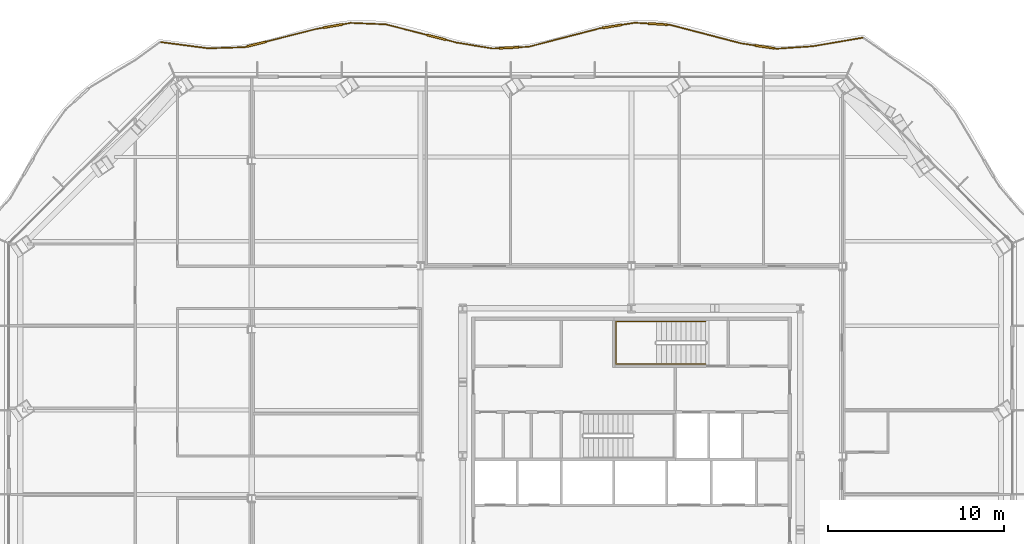
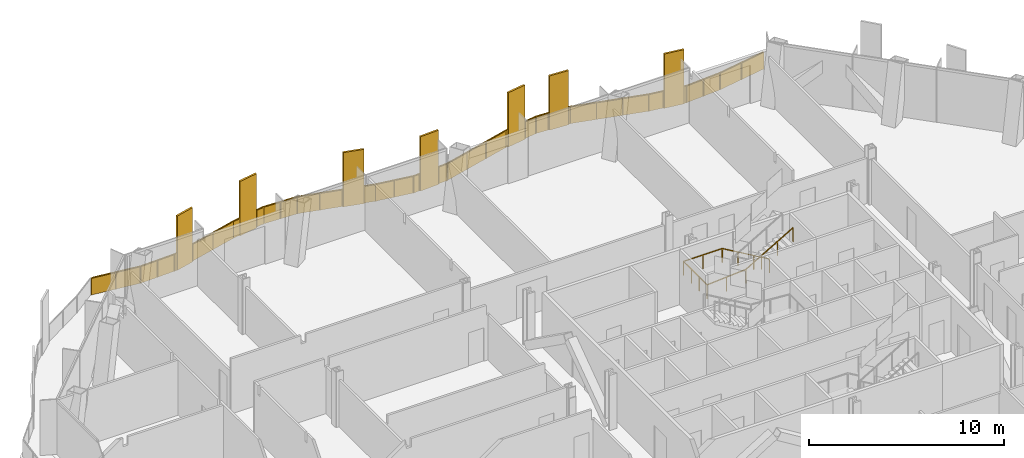
# One storey, part 18 of 19: 2 railings.
"""IFC4 building model written with IfcOpenShell, lengths in metres."""

from ifc_helpers import new_model, si_unit, direction, frame, origin, origin_2d, place, context, subcontext, project, spatial, polyline, rectangle, outline, extrude, material, type_object, element, save


model = new_model("IFC4")

# Units and contexts
model_context = context("Model", 3, precision=1e-05, world=origin(), true_north=direction((0.0, 1.0)))
body_context = subcontext(model_context, "Body", "Model", "MODEL_VIEW")
ifc_project = project(units=[si_unit("LENGTHUNIT", "METRE"), si_unit("AREAUNIT", "SQUARE_METRE"), si_unit("VOLUMEUNIT", "CUBIC_METRE"), si_unit("PLANEANGLEUNIT", "RADIAN"), si_unit("MASSUNIT", "GRAM", prefix="KILO")], contexts=[model_context])

# Site, building, storey
site_placement = place(None, origin())
site = spatial("IfcSite", under=ifc_project, at=site_placement, CompositionType="ELEMENT")
building_placement = place(site_placement, origin())
building = spatial("IfcBuilding", under=site, at=building_placement, Name="Cairn Pilgrim Tower", CompositionType="ELEMENT")
storey_placement = place(building_placement, frame((0.0, 0.0, 90.60009765625)))
storey = spatial("IfcBuildingStorey", under=building, at=storey_placement, Name="L21", CompositionType="ELEMENT", Elevation=90.60009765625)

# Railings
ifc_material_1 = material(Name="Bronze anodised aluminium rail, posts and fin screens with laminated glass infill", Category="aluminium")
railing_type_1 = type_object("IfcRailingType", Name="BALCONY GUARD WITH FIN SCREENS", PredefinedType="GUARDRAIL", material=ifc_material_1)
railing_1_placement = place(storey_placement, frame((20.3740234375, 26.201904296875, 0.0)))
element("IfcRailing", 1, at=railing_1_placement, inside=storey, type_object=railing_type_1, Name="Balcony guard BGF-4 with fin screens", PredefinedType="GUARDRAIL", context=body_context, shape_type="SweptSolid", body=[
    extrude(rectangle(XDim=0.050048828125, YDim=0.050048828125, at=origin_2d()), frame((0.0, 0.0, 1.0751953125), z_axis=(-0.98563467699, -0.168891336413, 0.0), x_axis=(0.168891336413, -0.98563467699, 0.0)), (0.0, 0.0, 1.0), 2.8984375),
    extrude(rectangle(XDim=0.050048828125, YDim=0.050048828125, at=origin_2d()), frame((-2.856689453125, -0.489501953125, 1.0751953125), z_axis=(-0.99764384086, -0.068605880174, 0.0), x_axis=(0.068605880174, -0.99764384086, 0.0)), (0.0, 0.0, 1.0), 2.0498046875),
    extrude(rectangle(XDim=1.10009765625, YDim=0.110107421875, at=origin_2d()), frame((-5.593994140625, -0.52587890625, 0.0), z_axis=(0.0, 0.0, 1.0), x_axis=(-0.988876527794, 0.148738740005, 0.0)), (0.0, 0.0, 1.0), 3.39990234375),
    extrude(rectangle(XDim=0.050048828125, YDim=0.050048828125, at=origin_2d()), frame((-4.901611328125, -0.630126953125, 1.0751953125), z_axis=(-0.988876527794, 0.148738740005, 0.0), x_axis=(-0.148738740005, -0.988876527794, 0.0)), (0.0, 0.0, 1.0), 0.150146484375),
    extrude(rectangle(XDim=0.050048828125, YDim=0.050048828125, at=origin_2d()), frame((-6.137939453125, -0.444091796875, 1.0751953125), z_axis=(-0.988876527794, 0.148738740005, 0.0), x_axis=(-0.148738740005, -0.988876527794, 0.0)), (0.0, 0.0, 1.0), 0.818115234375),
    extrude(rectangle(XDim=0.050048828125, YDim=0.050048828125, at=origin_2d()), frame((-6.94677734375, -0.322509765625, 1.0751953125), z_axis=(-0.967662638043, 0.252247931478, 0.0), x_axis=(-0.252247931478, -0.967662638043, 0.0)), (0.0, 0.0, 1.0), 4.17041015625),
    extrude(rectangle(XDim=1.10009765625, YDim=0.110107421875, at=origin_2d()), frame((-11.68115234375, 0.77099609375, 0.0), z_axis=(0.0, 0.0, 1.0), x_axis=(-0.998234448641, 0.059396847944, 0.0)), (0.0, 0.0, 1.0), 3.39990234375),
    extrude(rectangle(XDim=0.050048828125, YDim=0.050048828125, at=origin_2d()), frame((-10.982421875, 0.7294921875, 1.0751953125), z_axis=(-0.998234448641, 0.059396847944, 0.0), x_axis=(-0.059396847944, -0.998234448641, 0.0)), (0.0, 0.0, 1.0), 0.14990234375),
    extrude(rectangle(XDim=0.050048828125, YDim=0.050048828125, at=origin_2d()), frame((-12.230224609375, 0.8037109375, 1.0751953125), z_axis=(-0.998234448641, 0.059396847944, 0.0), x_axis=(-0.059396847944, -0.998234448641, 0.0)), (0.0, 0.0, 1.0), 0.74365234375),
    extrude(rectangle(XDim=1.10009765625, YDim=0.110107421875, at=origin_2d()), frame((-14.279052734375, 0.640869140625, 0.0), z_axis=(0.0, 0.0, 1.0), x_axis=(-0.987670802146, -0.156545158302, 0.0)), (0.0, 0.0, 1.0), 3.39990234375),
    extrude(rectangle(XDim=0.050048828125, YDim=0.050048828125, at=origin_2d()), frame((-12.972412109375, 0.847900390625, 1.0751953125), z_axis=(-0.987670802146, -0.156545158302, 0.0), x_axis=(0.156545158302, -0.987670802146, 0.0)), (0.0, 0.0, 1.0), 0.77294921875),
    extrude(rectangle(XDim=0.050048828125, YDim=0.050048828125, at=origin_2d()), frame((-14.822265625, 0.5546875, 1.0751953125), z_axis=(-0.987670802146, -0.156545158302, 0.0), x_axis=(0.156545158302, -0.987670802146, 0.0)), (0.0, 0.0, 1.0), 0.14990234375),
    extrude(rectangle(XDim=0.050048828125, YDim=0.050048828125, at=origin_2d()), frame((-14.97021484375, 0.53125, 1.0751953125), z_axis=(-0.968051479953, -0.250751534713, 0.0), x_axis=(0.250751534713, -0.968051479953, 0.0)), (0.0, 0.0, 1.0), 4.18359375),
    extrude(rectangle(XDim=1.10009765625, YDim=0.110107421875, at=origin_2d()), frame((-20.136962890625, -0.57373046875, 0.0), z_axis=(0.0, 0.0, 1.0), x_axis=(-0.998748484548, -0.050014643987, 0.0)), (0.0, 0.0, 1.0), 3.39990234375),
    extrude(rectangle(XDim=0.050048828125, YDim=0.050048828125, at=origin_2d()), frame((-19.020263671875, -0.517822265625, 1.0751953125), z_axis=(-0.998748484548, -0.050014643987, 0.0), x_axis=(0.050014643987, -0.998748484548, 0.0)), (0.0, 0.0, 1.0), 0.568115234375),
    extrude(rectangle(XDim=0.050048828125, YDim=0.050048828125, at=origin_2d()), frame((-20.686279296875, -0.601318359375, 1.0751953125), z_axis=(-0.998748484548, -0.050014643987, 0.0), x_axis=(0.050014643987, -0.998748484548, 0.0)), (0.0, 0.0, 1.0), 0.386962890625),
    extrude(rectangle(XDim=0.050048828125, YDim=0.050048828125, at=origin_2d()), frame((-21.07275390625, -0.62060546875, 1.0751953125), z_axis=(-0.986470265523, 0.163940279491, 0.0), x_axis=(-0.163940279491, -0.986470265523, 0.0)), (0.0, 0.0, 1.0), 2.071533203125),
    extrude(rectangle(XDim=1.10009765625, YDim=0.110107421875, at=origin_2d()), frame((-24.273681640625, 0.0166015625, 0.0), z_axis=(0.0, 0.0, 1.0), x_axis=(-0.96848929625, 0.24905518073, 0.0)), (0.0, 0.0, 1.0), 3.39990234375),
    extrude(rectangle(XDim=0.050048828125, YDim=0.050048828125, at=origin_2d()), frame((-23.1162109375, -0.281005859375, 1.0751953125), z_axis=(-0.96848929625, 0.24905518073, 0.0), x_axis=(-0.24905518073, -0.96848929625, 0.0)), (0.0, 0.0, 1.0), 0.64501953125),
    extrude(rectangle(XDim=0.050048828125, YDim=0.050048828125, at=origin_2d()), frame((-24.806396484375, 0.153564453125, 1.0751953125), z_axis=(-0.96848929625, 0.24905518073, 0.0), x_axis=(-0.24905518073, -0.96848929625, 0.0)), (0.0, 0.0, 1.0), 2.4189453125),
    extrude(rectangle(XDim=0.050048828125, YDim=0.050048828125, at=origin_2d()), frame((-27.149169921875, 0.756103515625, 1.0751953125), z_axis=(-0.999170906017, 0.04071241296, 0.0), x_axis=(-0.04071241296, -0.999170906017, 0.0)), (0.0, 0.0, 1.0), 1.990966796875),
    extrude(rectangle(XDim=1.10009765625, YDim=0.110107421875, at=origin_2d()), frame((-30.157470703125, 0.659912109375, 0.0), z_axis=(0.0, 0.0, 1.0), x_axis=(-0.985218817195, -0.171300561134, 0.0)), (0.0, 0.0, 1.0), 3.39990234375),
    extrude(rectangle(XDim=0.050048828125, YDim=0.050048828125, at=origin_2d()), frame((-29.138427734375, 0.837158203125, 1.0751953125), z_axis=(-0.985218817195, -0.171300561134, 0.0), x_axis=(0.171300561134, -0.985218817195, 0.0)), (0.0, 0.0, 1.0), 0.484130859375),
    extrude(rectangle(XDim=0.050048828125, YDim=0.050048828125, at=origin_2d()), frame((-30.69921875, 0.565673828125, 1.0751953125), z_axis=(-0.985218817195, -0.171300561134, 0.0), x_axis=(0.171300561134, -0.985218817195, 0.0)), (0.0, 0.0, 1.0), 0.4453125),
    extrude(rectangle(XDim=1.10009765625, YDim=0.110107421875, at=origin_2d()), frame((-34.511962890625, -0.37060546875, 0.0), z_axis=(0.0, 0.0, 1.0), x_axis=(-0.969012617357, -0.247011229307, 0.0)), (0.0, 0.0, 1.0), 3.39990234375),
    extrude(rectangle(XDim=0.050048828125, YDim=0.050048828125, at=origin_2d()), frame((-31.137939453125, 0.489501953125, 1.0751953125), z_axis=(-0.969012617357, -0.247011229307, 0.0), x_axis=(0.247011229307, -0.969012617357, 0.0)), (0.0, 0.0, 1.0), 2.931884765625),
    extrude(rectangle(XDim=0.050048828125, YDim=0.050048828125, at=origin_2d()), frame((-35.044921875, -0.50634765625, 1.0751953125), z_axis=(-0.969012617357, -0.247011229307, 0.0), x_axis=(0.247011229307, -0.969012617357, 0.0)), (0.0, 0.0, 1.0), 0.14990234375),
    extrude(rectangle(XDim=0.050048828125, YDim=0.050048828125, at=origin_2d()), frame((-35.190185546875, -0.54345703125, 1.0751953125), z_axis=(-0.999506018022, -0.031428012001, 0.0), x_axis=(0.031428012001, -0.999506018022, 0.0)), (0.0, 0.0, 1.0), 2.05078125),
    extrude(rectangle(XDim=0.050048828125, YDim=0.050048828125, at=origin_2d()), frame((-37.239990234375, -0.60791015625, 1.0751953125), z_axis=(-0.991581399578, 0.129484856302, 0.0), x_axis=(-0.129484856302, -0.991581399578, 0.0)), (0.0, 0.0, 1.0), 2.72265625),
    extrude(rectangle(XDim=0.050048828125, YDim=0.050048828125, at=origin_2d()), origin(), (0.0, 0.0, 1.0), 1.050048828125),
    extrude(rectangle(XDim=0.050048828125, YDim=0.050048828125, at=origin_2d()), frame((-1.42822265625, -0.244873046875, 0.0)), (0.0, 0.0, 1.0), 1.050048828125),
    extrude(rectangle(XDim=0.050048828125, YDim=0.050048828125, at=origin_2d()), frame((-2.856689453125, -0.489501953125, 0.0)), (0.0, 0.0, 1.0), 1.050048828125),
    extrude(rectangle(XDim=0.050048828125, YDim=0.050048828125, at=origin_2d()), frame((-3.879150390625, -0.559814453125, 0.0)), (0.0, 0.0, 1.0), 1.050048828125),
    extrude(rectangle(XDim=0.050048828125, YDim=0.050048828125, at=origin_2d()), frame((-4.901611328125, -0.630126953125, 0.0)), (0.0, 0.0, 1.0), 1.050048828125),
    extrude(rectangle(XDim=0.050048828125, YDim=0.050048828125, at=origin_2d()), frame((-5.025390625, -0.611572265625, 0.0)), (0.0, 0.0, 1.0), 1.050048828125),
    extrude(rectangle(XDim=0.050048828125, YDim=0.050048828125, at=origin_2d()), frame((-6.16259765625, -0.4404296875, 0.0)), (0.0, 0.0, 1.0), 1.050048828125),
    extrude(rectangle(XDim=0.050048828125, YDim=0.050048828125, at=origin_2d()), frame((-6.94677734375, -0.322509765625, 0.0)), (0.0, 0.0, 1.0), 1.050048828125),
    extrude(rectangle(XDim=0.050048828125, YDim=0.050048828125, at=origin_2d()), frame((-8.2919921875, 0.028076171875, 0.0)), (0.0, 0.0, 1.0), 1.050048828125),
    extrude(rectangle(XDim=0.050048828125, YDim=0.050048828125, at=origin_2d()), frame((-9.63720703125, 0.37890625, 0.0)), (0.0, 0.0, 1.0), 1.050048828125),
    extrude(rectangle(XDim=0.050048828125, YDim=0.050048828125, at=origin_2d()), frame((-10.982421875, 0.7294921875, 0.0)), (0.0, 0.0, 1.0), 1.050048828125),
    extrude(rectangle(XDim=0.050048828125, YDim=0.050048828125, at=origin_2d()), frame((-11.107177734375, 0.73681640625, 0.0)), (0.0, 0.0, 1.0), 1.050048828125),
    extrude(rectangle(XDim=0.050048828125, YDim=0.050048828125, at=origin_2d()), frame((-12.255126953125, 0.80517578125, 0.0)), (0.0, 0.0, 1.0), 1.050048828125),
    extrude(rectangle(XDim=0.050048828125, YDim=0.050048828125, at=origin_2d()), frame((-12.972412109375, 0.847900390625, 0.0)), (0.0, 0.0, 1.0), 1.050048828125),
    extrude(rectangle(XDim=0.050048828125, YDim=0.050048828125, at=origin_2d()), frame((-13.7109375, 0.730712890625, 0.0)), (0.0, 0.0, 1.0), 1.050048828125),
    extrude(rectangle(XDim=0.050048828125, YDim=0.050048828125, at=origin_2d()), frame((-14.846923828125, 0.55078125, 0.0)), (0.0, 0.0, 1.0), 1.050048828125),
    extrude(rectangle(XDim=0.050048828125, YDim=0.050048828125, at=origin_2d()), frame((-14.97021484375, 0.53125, 0.0)), (0.0, 0.0, 1.0), 1.050048828125),
    extrude(rectangle(XDim=0.050048828125, YDim=0.050048828125, at=origin_2d()), frame((-16.3203125, 0.181640625, 0.0)), (0.0, 0.0, 1.0), 1.050048828125),
    extrude(rectangle(XDim=0.050048828125, YDim=0.050048828125, at=origin_2d()), frame((-17.670166015625, -0.168212890625, 0.0)), (0.0, 0.0, 1.0), 1.050048828125),
    extrude(rectangle(XDim=0.050048828125, YDim=0.050048828125, at=origin_2d()), frame((-19.020263671875, -0.517822265625, 0.0)), (0.0, 0.0, 1.0), 1.050048828125),
    extrude(rectangle(XDim=0.050048828125, YDim=0.050048828125, at=origin_2d()), frame((-19.562744140625, -0.544921875, 0.0)), (0.0, 0.0, 1.0), 1.050048828125),
    extrude(rectangle(XDim=0.050048828125, YDim=0.050048828125, at=origin_2d()), frame((-20.711181640625, -0.6025390625, 0.0)), (0.0, 0.0, 1.0), 1.050048828125),
    extrude(rectangle(XDim=0.050048828125, YDim=0.050048828125, at=origin_2d()), frame((-21.07275390625, -0.62060546875, 0.0)), (0.0, 0.0, 1.0), 1.050048828125),
    extrude(rectangle(XDim=0.050048828125, YDim=0.050048828125, at=origin_2d()), frame((-22.094482421875, -0.45068359375, 0.0)), (0.0, 0.0, 1.0), 1.050048828125),
    extrude(rectangle(XDim=0.050048828125, YDim=0.050048828125, at=origin_2d()), frame((-23.1162109375, -0.281005859375, 0.0)), (0.0, 0.0, 1.0), 1.050048828125),
    extrude(rectangle(XDim=0.050048828125, YDim=0.050048828125, at=origin_2d()), frame((-23.716796875, -0.12646484375, 0.0)), (0.0, 0.0, 1.0), 1.050048828125),
    extrude(rectangle(XDim=0.050048828125, YDim=0.050048828125, at=origin_2d()), frame((-24.83056640625, 0.159912109375, 0.0)), (0.0, 0.0, 1.0), 1.050048828125),
    extrude(rectangle(XDim=0.050048828125, YDim=0.050048828125, at=origin_2d()), frame((-25.989990234375, 0.4580078125, 0.0)), (0.0, 0.0, 1.0), 1.050048828125),
    extrude(rectangle(XDim=0.050048828125, YDim=0.050048828125, at=origin_2d()), frame((-27.149169921875, 0.756103515625, 0.0)), (0.0, 0.0, 1.0), 1.050048828125),
    extrude(rectangle(XDim=0.050048828125, YDim=0.050048828125, at=origin_2d()), frame((-28.143798828125, 0.796630859375, 0.0)), (0.0, 0.0, 1.0), 1.050048828125),
    extrude(rectangle(XDim=0.050048828125, YDim=0.050048828125, at=origin_2d()), frame((-29.138427734375, 0.837158203125, 0.0)), (0.0, 0.0, 1.0), 1.050048828125),
    extrude(rectangle(XDim=0.050048828125, YDim=0.050048828125, at=origin_2d()), frame((-29.5908203125, 0.758544921875, 0.0)), (0.0, 0.0, 1.0), 1.050048828125),
    extrude(rectangle(XDim=0.050048828125, YDim=0.050048828125, at=origin_2d()), frame((-30.723876953125, 0.5615234375, 0.0)), (0.0, 0.0, 1.0), 1.050048828125),
    extrude(rectangle(XDim=0.050048828125, YDim=0.050048828125, at=origin_2d()), frame((-31.137939453125, 0.489501953125, 0.0)), (0.0, 0.0, 1.0), 1.050048828125),
    extrude(rectangle(XDim=0.050048828125, YDim=0.050048828125, at=origin_2d()), frame((-32.54638671875, 0.13037109375, 0.0)), (0.0, 0.0, 1.0), 1.050048828125),
    extrude(rectangle(XDim=0.050048828125, YDim=0.050048828125, at=origin_2d()), frame((-33.954833984375, -0.228515625, 0.0)), (0.0, 0.0, 1.0), 1.050048828125),
    extrude(rectangle(XDim=0.050048828125, YDim=0.050048828125, at=origin_2d()), frame((-35.069091796875, -0.5126953125, 0.0)), (0.0, 0.0, 1.0), 1.050048828125),
    extrude(rectangle(XDim=0.050048828125, YDim=0.050048828125, at=origin_2d()), frame((-35.190185546875, -0.54345703125, 0.0)), (0.0, 0.0, 1.0), 1.050048828125),
    extrude(rectangle(XDim=0.050048828125, YDim=0.050048828125, at=origin_2d()), frame((-36.215087890625, -0.57568359375, 0.0)), (0.0, 0.0, 1.0), 1.050048828125),
    extrude(rectangle(XDim=0.050048828125, YDim=0.050048828125, at=origin_2d()), frame((-37.239990234375, -0.60791015625, 0.0)), (0.0, 0.0, 1.0), 1.050048828125),
    extrude(rectangle(XDim=0.050048828125, YDim=0.050048828125, at=origin_2d()), frame((-38.58984375, -0.431640625, 0.0)), (0.0, 0.0, 1.0), 1.050048828125),
    extrude(rectangle(XDim=0.050048828125, YDim=0.050048828125, at=origin_2d()), frame((-39.939697265625, -0.25537109375, 0.0)), (0.0, 0.0, 1.0), 1.050048828125),
    extrude(outline(polyline([(0.02490234375, 0.0), (1.424072265625, 0.0), (1.424072265625, 1.050048828125), (0.02490234375, 1.050048828125), (0.02490234375, 0.0)])), frame((0.0009765625, -0.005859375, 0.0), z_axis=(-0.168891336413, 0.98563467699, 0.0), x_axis=(-0.98563467699, -0.168891336413, 0.0)), (0.0, 0.0, 1.0), 0.011962890625),
    extrude(outline(polyline([(0.02490234375, 0.0), (1.424072265625, 0.0), (1.424072265625, 1.050048828125), (0.02490234375, 1.050048828125), (0.02490234375, 0.0)])), frame((-1.42724609375, -0.250732421875, 0.0), z_axis=(-0.168891336413, 0.98563467699, 0.0), x_axis=(-0.98563467699, -0.168891336413, 0.0)), (0.0, 0.0, 1.0), 0.011962890625),
    extrude(outline(polyline([(0.02490234375, 0.0), (0.999755859375, 0.0), (0.999755859375, 1.050048828125), (0.02490234375, 1.050048828125), (0.02490234375, 0.0)])), frame((-2.856201171875, -0.495361328125, 0.0), z_axis=(-0.068605880174, 0.99764384086, 0.0), x_axis=(-0.99764384086, -0.068605880174, 0.0)), (0.0, 0.0, 1.0), 0.011962890625),
    extrude(outline(polyline([(0.02490234375, 0.0), (0.999755859375, 0.0), (0.999755859375, 1.050048828125), (0.02490234375, 1.050048828125), (0.02490234375, 0.0)])), frame((-3.878662109375, -0.565673828125, 0.0), z_axis=(-0.068605880174, 0.99764384086, 0.0), x_axis=(-0.99764384086, -0.068605880174, 0.0)), (0.0, 0.0, 1.0), 0.011962890625),
    extrude(outline(polyline([(0.02490234375, 0.0), (0.10009765625, 0.0), (0.10009765625, 1.050048828125), (0.02490234375, 1.050048828125), (0.02490234375, 0.0)])), frame((-4.902587890625, -0.635986328125, 0.0), z_axis=(0.148738740005, 0.988876527794, 0.0), x_axis=(-0.988876527794, 0.148738740005, 0.0)), (0.0, 0.0, 1.0), 0.011962890625),
    extrude(outline(polyline([(0.02490234375, 0.0), (0.76806640625, 0.0), (0.76806640625, 1.050048828125), (0.02490234375, 1.050048828125), (0.02490234375, 0.0)])), frame((-6.16357421875, -0.4462890625, 0.0), z_axis=(0.148738740005, 0.988876527794, 0.0), x_axis=(-0.988876527794, 0.148738740005, 0.0)), (0.0, 0.0, 1.0), 0.011962890625),
    extrude(outline(polyline([(0.02490234375, 0.0), (1.365234375, 0.0), (1.365234375, 1.050048828125), (0.02490234375, 1.050048828125), (0.02490234375, 0.0)])), frame((-6.9482421875, -0.328369140625, 0.0), z_axis=(0.252247931478, 0.967662638043, 0.0), x_axis=(-0.967662638043, 0.252247931478, 0.0)), (0.0, 0.0, 1.0), 0.011962890625),
    extrude(outline(polyline([(0.02490234375, 0.0), (1.365234375, 0.0), (1.365234375, 1.050048828125), (0.02490234375, 1.050048828125), (0.02490234375, 0.0)])), frame((-8.29345703125, 0.0224609375, 0.0), z_axis=(0.252247931478, 0.967662638043, 0.0), x_axis=(-0.967662638043, 0.252247931478, 0.0)), (0.0, 0.0, 1.0), 0.011962890625),
    extrude(outline(polyline([(0.02490234375, 0.0), (1.365234375, 0.0), (1.365234375, 1.050048828125), (0.02490234375, 1.050048828125), (0.02490234375, 0.0)])), frame((-9.638671875, 0.373046875, 0.0), z_axis=(0.252247931478, 0.967662638043, 0.0), x_axis=(-0.967662638043, 0.252247931478, 0.0)), (0.0, 0.0, 1.0), 0.011962890625),
    extrude(outline(polyline([(0.02490234375, 0.0), (0.099853515625, 0.0), (0.099853515625, 1.050048828125), (0.02490234375, 1.050048828125), (0.02490234375, 0.0)])), frame((-10.982666015625, 0.7236328125, 0.0), z_axis=(0.059396847944, 0.998234448641, 0.0), x_axis=(-0.998234448641, 0.059396847944, 0.0)), (0.0, 0.0, 1.0), 0.011962890625),
    extrude(outline(polyline([(0.02490234375, 0.0), (0.693603515625, 0.0), (0.693603515625, 1.050048828125), (0.02490234375, 1.050048828125), (0.02490234375, 0.0)])), frame((-12.255615234375, 0.79931640625, 0.0), z_axis=(0.059396847944, 0.998234448641, 0.0), x_axis=(-0.998234448641, 0.059396847944, 0.0)), (0.0, 0.0, 1.0), 0.011962890625),
    extrude(outline(polyline([(0.02490234375, 0.0), (0.722900390625, 0.0), (0.722900390625, 1.050048828125), (0.02490234375, 1.050048828125), (0.02490234375, 0.0)])), frame((-12.971435546875, 0.842041015625, 0.0), z_axis=(-0.156545158302, 0.987670802146, 0.0), x_axis=(-0.987670802146, -0.156545158302, 0.0)), (0.0, 0.0, 1.0), 0.011962890625),
    extrude(outline(polyline([(0.02490234375, 0.0), (0.099853515625, 0.0), (0.099853515625, 1.050048828125), (0.02490234375, 1.050048828125), (0.02490234375, 0.0)])), frame((-14.845947265625, 0.544921875, 0.0), z_axis=(-0.156545158302, 0.987670802146, 0.0), x_axis=(-0.987670802146, -0.156545158302, 0.0)), (0.0, 0.0, 1.0), 0.011962890625),
    extrude(outline(polyline([(0.02490234375, 0.0), (1.36962890625, 0.0), (1.36962890625, 1.050048828125), (0.02490234375, 1.050048828125), (0.02490234375, 0.0)])), frame((-14.96875, 0.525390625, 0.0), z_axis=(-0.250751534713, 0.968051479953, 0.0), x_axis=(-0.968051479953, -0.250751534713, 0.0)), (0.0, 0.0, 1.0), 0.011962890625),
    extrude(outline(polyline([(0.02490234375, 0.0), (1.36962890625, 0.0), (1.36962890625, 1.050048828125), (0.02490234375, 1.050048828125), (0.02490234375, 0.0)])), frame((-16.31884765625, 0.17578125, 0.0), z_axis=(-0.250751534713, 0.968051479953, 0.0), x_axis=(-0.968051479953, -0.250751534713, 0.0)), (0.0, 0.0, 1.0), 0.011962890625),
    extrude(outline(polyline([(0.02490234375, 0.0), (1.36962890625, 0.0), (1.36962890625, 1.050048828125), (0.02490234375, 1.050048828125), (0.02490234375, 0.0)])), frame((-17.668701171875, -0.173828125, 0.0), z_axis=(-0.250751534713, 0.968051479953, 0.0), x_axis=(-0.968051479953, -0.250751534713, 0.0)), (0.0, 0.0, 1.0), 0.011962890625),
    extrude(outline(polyline([(0.02490234375, 0.0), (0.51806640625, 0.0), (0.51806640625, 1.050048828125), (0.02490234375, 1.050048828125), (0.02490234375, 0.0)])), frame((-19.02001953125, -0.523681640625, 0.0), z_axis=(-0.050014643987, 0.998748484548, 0.0), x_axis=(-0.998748484548, -0.050014643987, 0.0)), (0.0, 0.0, 1.0), 0.011962890625),
    extrude(outline(polyline([(0.02490234375, 0.0), (0.3369140625, 0.0), (0.3369140625, 1.050048828125), (0.02490234375, 1.050048828125), (0.02490234375, 0.0)])), frame((-20.7109375, -0.6083984375, 0.0), z_axis=(-0.050014643987, 0.998748484548, 0.0), x_axis=(-0.998748484548, -0.050014643987, 0.0)), (0.0, 0.0, 1.0), 0.011962890625),
    extrude(outline(polyline([(0.02490234375, 0.0), (1.0107421875, 0.0), (1.0107421875, 1.050048828125), (0.02490234375, 1.050048828125), (0.02490234375, 0.0)])), frame((-21.07373046875, -0.62646484375, 0.0), z_axis=(0.163940279491, 0.986470265523, 0.0), x_axis=(-0.986470265523, 0.163940279491, 0.0)), (0.0, 0.0, 1.0), 0.011962890625),
    extrude(outline(polyline([(0.02490234375, 0.0), (1.0107421875, 0.0), (1.0107421875, 1.050048828125), (0.02490234375, 1.050048828125), (0.02490234375, 0.0)])), frame((-22.095458984375, -0.456787109375, 0.0), z_axis=(0.163940279491, 0.986470265523, 0.0), x_axis=(-0.986470265523, 0.163940279491, 0.0)), (0.0, 0.0, 1.0), 0.011962890625),
    extrude(outline(polyline([(0.02490234375, 0.0), (0.594970703125, 0.0), (0.594970703125, 1.050048828125), (0.02490234375, 1.050048828125), (0.02490234375, 0.0)])), frame((-23.11767578125, -0.286865234375, 0.0), z_axis=(0.24905518073, 0.96848929625, 0.0), x_axis=(-0.96848929625, 0.24905518073, 0.0)), (0.0, 0.0, 1.0), 0.011962890625),
    extrude(outline(polyline([(0.02490234375, 0.0), (1.171875, 0.0), (1.171875, 1.050048828125), (0.02490234375, 1.050048828125), (0.02490234375, 0.0)])), frame((-24.83203125, 0.154052734375, 0.0), z_axis=(0.24905518073, 0.96848929625, 0.0), x_axis=(-0.96848929625, 0.24905518073, 0.0)), (0.0, 0.0, 1.0), 0.011962890625),
    extrude(outline(polyline([(0.02490234375, 0.0), (1.171875, 0.0), (1.171875, 1.050048828125), (0.02490234375, 1.050048828125), (0.02490234375, 0.0)])), frame((-25.991455078125, 0.4521484375, 0.0), z_axis=(0.24905518073, 0.96848929625, 0.0), x_axis=(-0.96848929625, 0.24905518073, 0.0)), (0.0, 0.0, 1.0), 0.011962890625),
    extrude(outline(polyline([(0.02490234375, 0.0), (0.970458984375, 0.0), (0.970458984375, 1.050048828125), (0.02490234375, 1.050048828125), (0.02490234375, 0.0)])), frame((-27.1494140625, 0.750244140625, 0.0), z_axis=(0.04071241296, 0.999170906017, 0.0), x_axis=(-0.999170906017, 0.04071241296, 0.0)), (0.0, 0.0, 1.0), 0.011962890625),
    extrude(outline(polyline([(0.02490234375, 0.0), (0.970458984375, 0.0), (0.970458984375, 1.050048828125), (0.02490234375, 1.050048828125), (0.02490234375, 0.0)])), frame((-28.14404296875, 0.790771484375, 0.0), z_axis=(0.04071241296, 0.999170906017, 0.0), x_axis=(-0.999170906017, 0.04071241296, 0.0)), (0.0, 0.0, 1.0), 0.011962890625),
    extrude(outline(polyline([(0.02490234375, 0.0), (0.43408203125, 0.0), (0.43408203125, 1.050048828125), (0.02490234375, 1.050048828125), (0.02490234375, 0.0)])), frame((-29.137451171875, 0.831298828125, 0.0), z_axis=(-0.171300561134, 0.985218817195, 0.0), x_axis=(-0.985218817195, -0.171300561134, 0.0)), (0.0, 0.0, 1.0), 0.011962890625),
    extrude(outline(polyline([(0.02490234375, 0.0), (0.395263671875, 0.0), (0.395263671875, 1.050048828125), (0.02490234375, 1.050048828125), (0.02490234375, 0.0)])), frame((-30.722900390625, 0.5556640625, 0.0), z_axis=(-0.171300561134, 0.985218817195, 0.0), x_axis=(-0.985218817195, -0.171300561134, 0.0)), (0.0, 0.0, 1.0), 0.011962890625),
    extrude(outline(polyline([(0.02490234375, 0.0), (1.428466796875, 0.0), (1.428466796875, 1.050048828125), (0.02490234375, 1.050048828125), (0.02490234375, 0.0)])), frame((-31.136474609375, 0.483642578125, 0.0), z_axis=(-0.247011229307, 0.969012617357, 0.0), x_axis=(-0.969012617357, -0.247011229307, 0.0)), (0.0, 0.0, 1.0), 0.011962890625),
    extrude(outline(polyline([(0.02490234375, 0.0), (1.428466796875, 0.0), (1.428466796875, 1.050048828125), (0.02490234375, 1.050048828125), (0.02490234375, 0.0)])), frame((-32.544921875, 0.124755859375, 0.0), z_axis=(-0.247011229307, 0.969012617357, 0.0), x_axis=(-0.969012617357, -0.247011229307, 0.0)), (0.0, 0.0, 1.0), 0.011962890625),
    extrude(outline(polyline([(0.02490234375, 0.0), (0.099853515625, 0.0), (0.099853515625, 1.050048828125), (0.02490234375, 1.050048828125), (0.02490234375, 0.0)])), frame((-35.067626953125, -0.518310546875, 0.0), z_axis=(-0.247011229307, 0.969012617357, 0.0), x_axis=(-0.969012617357, -0.247011229307, 0.0)), (0.0, 0.0, 1.0), 0.011962890625),
    extrude(outline(polyline([(0.02490234375, 0.0), (1.00048828125, 0.0), (1.00048828125, 1.050048828125), (0.02490234375, 1.050048828125), (0.02490234375, 0.0)])), frame((-35.18994140625, -0.54931640625, 0.0), z_axis=(-0.031428012001, 0.999506018022, 0.0), x_axis=(-0.999506018022, -0.031428012001, 0.0)), (0.0, 0.0, 1.0), 0.011962890625),
    extrude(outline(polyline([(0.02490234375, 0.0), (1.00048828125, 0.0), (1.00048828125, 1.050048828125), (0.02490234375, 1.050048828125), (0.02490234375, 0.0)])), frame((-36.21484375, -0.58154296875, 0.0), z_axis=(-0.031428012001, 0.999506018022, 0.0), x_axis=(-0.999506018022, -0.031428012001, 0.0)), (0.0, 0.0, 1.0), 0.011962890625),
    extrude(outline(polyline([(0.02490234375, 0.0), (1.336181640625, 0.0), (1.336181640625, 1.050048828125), (0.02490234375, 1.050048828125), (0.02490234375, 0.0)])), frame((-37.24072265625, -0.61376953125, 0.0), z_axis=(0.129484856302, 0.991581399578, 0.0), x_axis=(-0.991581399578, 0.129484856302, 0.0)), (0.0, 0.0, 1.0), 0.011962890625),
    extrude(outline(polyline([(0.02490234375, 0.0), (1.336181640625, 0.0), (1.336181640625, 1.050048828125), (0.02490234375, 1.050048828125), (0.02490234375, 0.0)])), frame((-38.590576171875, -0.4375, 0.0), z_axis=(0.129484856302, 0.991581399578, 0.0), x_axis=(-0.991581399578, 0.129484856302, 0.0)), (0.0, 0.0, 1.0), 0.011962890625),
])
ifc_material_2 = material(Name="Painted steel", Category="steel")
railing_type_2 = type_object("IfcRailingType", Name="STAIR HANDRAIL 900", PredefinedType="HANDRAIL", material=ifc_material_2)
railing_2_placement = place(storey_placement, frame((11.425048828125, 10.050048828125, 0.16357421875)))
element("IfcRailing", 2, at=railing_2_placement, inside=storey, type_object=railing_type_2, Name="L21 ST-C stair handrail 1", PredefinedType="HANDRAIL", context=body_context, shape_type="SweptSolid", body=[
    extrude(rectangle(XDim=0.048095703125, YDim=0.048095703125, at=origin_2d()), frame((0.0, 0.0, 0.8759765625), z_axis=(-0.863393664356, 0.0, 0.504530851732), x_axis=(0.0, -1.0, 0.0)), (0.0, 0.0, 1.0), 3.2431640625),
    extrude(rectangle(XDim=0.048095703125, YDim=0.048095703125, at=origin_2d()), frame((-2.800048828125, 0.0, 2.51220703125), z_axis=(-1.0, 0.0, 0.0), x_axis=(0.0, -1.0, 0.0)), (0.0, 0.0, 1.0), 2.300048828125),
    extrude(rectangle(XDim=0.048095703125, YDim=0.048095703125, at=origin_2d()), frame((-5.10009765625, 0.0, 2.51220703125), z_axis=(0.0, -1.0, 0.0), x_axis=(1.0, 0.0, 0.0)), (0.0, 0.0, 1.0), 2.425048828125),
    extrude(rectangle(XDim=0.048095703125, YDim=0.048095703125, at=origin_2d()), frame((-5.10009765625, -2.425048828125, 2.51220703125), z_axis=(0.99747319029, 0.0, 0.071043892441), x_axis=(0.0, 1.0, 0.0)), (0.0, 0.0, 1.0), 2.305908203125),
    extrude(rectangle(XDim=0.048095703125, YDim=0.048095703125, at=origin_2d()), frame((-2.800048828125, -2.425048828125, 2.67578125), z_axis=(0.863393664356, 0.0, 0.504530851732), x_axis=(0.0, 1.0, 0.0)), (0.0, 0.0, 1.0), 3.2431640625),
    extrude(rectangle(XDim=0.0419921875, YDim=0.0419921875, at=origin_2d()), origin(), (0.0, 0.0, 1.0), 0.851806640625),
    extrude(rectangle(XDim=0.0419921875, YDim=0.0419921875, at=origin_2d()), frame((-0.933349609375, 0.0, 0.54541015625)), (0.0, 0.0, 1.0), 0.851806640625),
    extrude(rectangle(XDim=0.0419921875, YDim=0.0419921875, at=origin_2d()), frame((-1.86669921875, 0.0, 1.0908203125)), (0.0, 0.0, 1.0), 0.851806640625),
    extrude(rectangle(XDim=0.0419921875, YDim=0.0419921875, at=origin_2d()), frame((-2.800048828125, 0.0, 1.63623046875)), (0.0, 0.0, 1.0), 0.851806640625),
    extrude(rectangle(XDim=0.0419921875, YDim=0.0419921875, at=origin_2d()), frame((-3.9501953125, 0.0, 1.63623046875)), (0.0, 0.0, 1.0), 0.851806640625),
    extrude(rectangle(XDim=0.0419921875, YDim=0.0419921875, at=origin_2d()), frame((-5.10009765625, 0.0, 1.63623046875)), (0.0, 0.0, 1.0), 0.851806640625),
    extrude(rectangle(XDim=0.0419921875, YDim=0.0419921875, at=origin_2d()), frame((-5.10009765625, -0.808349609375, 1.63623046875)), (0.0, 0.0, 1.0), 0.851806640625),
    extrude(rectangle(XDim=0.0419921875, YDim=0.0419921875, at=origin_2d()), frame((-5.10009765625, -1.61669921875, 1.63623046875)), (0.0, 0.0, 1.0), 0.851806640625),
    extrude(rectangle(XDim=0.0419921875, YDim=0.0419921875, at=origin_2d()), frame((-5.10009765625, -2.425048828125, 1.63623046875)), (0.0, 0.0, 1.0), 0.851806640625),
    extrude(rectangle(XDim=0.0419921875, YDim=0.0419921875, at=origin_2d()), frame((-3.9501953125, -2.425048828125, 1.71826171875)), (0.0, 0.0, 1.0), 0.851806640625),
    extrude(rectangle(XDim=0.0419921875, YDim=0.0419921875, at=origin_2d()), frame((-2.800048828125, -2.425048828125, 1.800048828125)), (0.0, 0.0, 1.0), 0.851806640625),
    extrude(rectangle(XDim=0.0419921875, YDim=0.0419921875, at=origin_2d()), frame((-1.86669921875, -2.425048828125, 2.345458984375)), (0.0, 0.0, 1.0), 0.851806640625),
    extrude(rectangle(XDim=0.0419921875, YDim=0.0419921875, at=origin_2d()), frame((-0.933349609375, -2.425048828125, 2.890869140625)), (0.0, 0.0, 1.0), 0.851806640625),
    extrude(rectangle(XDim=0.0419921875, YDim=0.0419921875, at=origin_2d()), frame((0.0, -2.425048828125, 3.436279296875)), (0.0, 0.0, 1.0), 0.851806640625),
])

save(model, "model.ifc")
